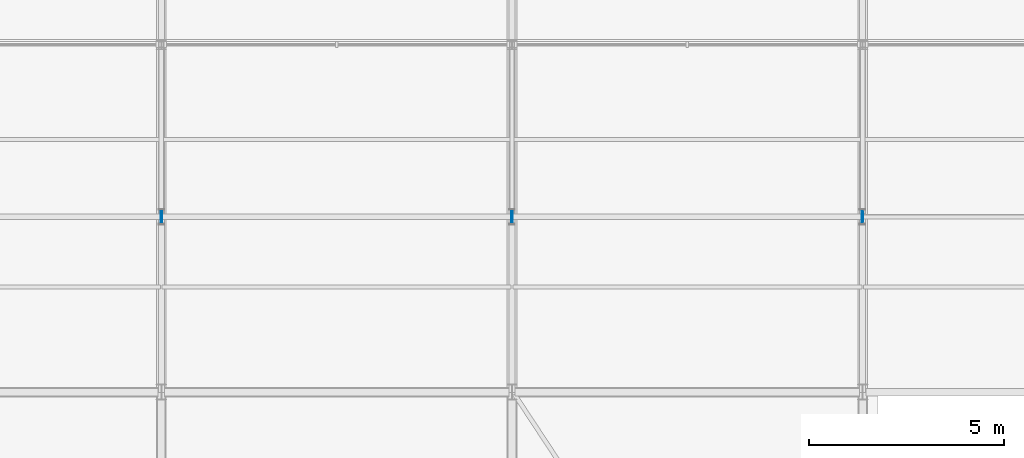
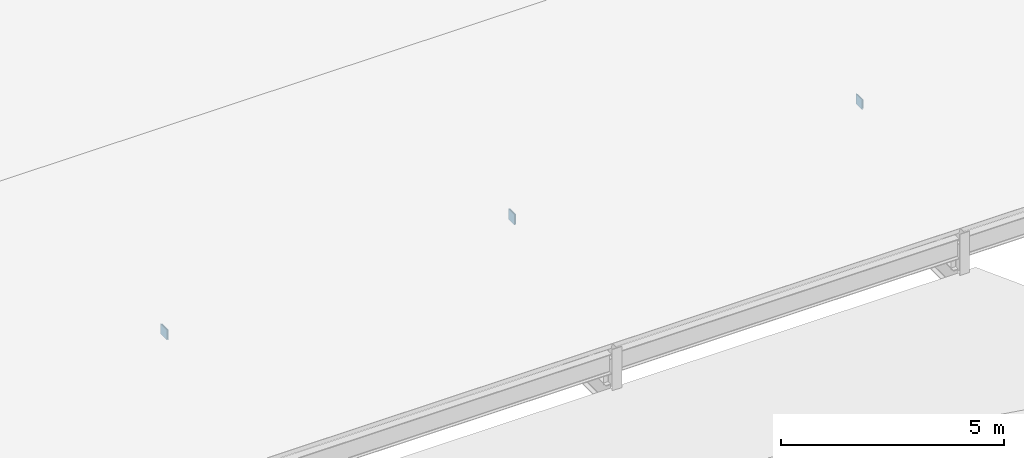
# One storey, part 133 of 163: 6 plates.
"""IFC4 building model written with IfcOpenShell, lengths in metres."""

from ifc_helpers import new_model, si_unit, direction, frame, origin, origin_2d, place, context, subcontext, project, spatial, rectangle, extrude, material, layer, layer_set, type_object, element, save


model = new_model("IFC4")

# Units and contexts
model_context = context("Model", 3, precision=1e-05, world=origin(), true_north=direction((0.0, 1.0)))
body_context = subcontext(model_context, "Body", "Model", "MODEL_VIEW")
ifc_project = project(units=[si_unit("LENGTHUNIT", "METRE"), si_unit("AREAUNIT", "SQUARE_METRE"), si_unit("VOLUMEUNIT", "CUBIC_METRE"), si_unit("PLANEANGLEUNIT", "RADIAN"), si_unit("MASSUNIT", "GRAM", prefix="KILO")], contexts=[model_context])

# Site, building, storey
site_placement = place(None, origin())
site = spatial("IfcSite", under=ifc_project, at=site_placement, CompositionType="ELEMENT")
building_placement = place(site_placement, origin())
building = spatial("IfcBuilding", under=site, at=building_placement, Name="Tharagai Park Tramway Depot", CompositionType="ELEMENT")
storey_placement = place(building_placement, frame((0.0, 0.0, 8.39990234375)))
storey = spatial("IfcBuildingStorey", under=building, at=storey_placement, Name="L02", CompositionType="ELEMENT", Elevation=8.39990234375)

# Plates
ifc_material = material(Name="Steel E350", Category="steel")
ifc_layer = layer(ifc_material, 0.011962890625)
ifc_layer_set = layer_set([ifc_layer], Name="Steel E350")
plate_type = type_object("IfcPlateType", Name="GP-04", PredefinedType="SHEET", material=ifc_layer_set)
for number, where, z_axis, x_axis, name in (
    (1, (71.986083984375, 94.5, 1.806640625), (0.0, 0.0, 1.0), (1.0, 0.0, 0.0), "Tube End Cap Plate GP-04"),
    (2, (72.013916015625, 94.5, 1.806640625), (0.0, 0.0, 1.0), (1.0, 0.0, 0.0), "Tube End Cap Plate GP-04"),
    (3, (80.986083984375, 94.5, 1.806640625), (0.0, 0.0, 1.0), (1.0, 0.0, 0.0), "Tube End Cap Plate GP-04"),
    (4, (81.013916015625, 94.5, 1.806640625), (0.0, 0.0, 1.0), (1.0, 0.0, 0.0), "Tube End Cap Plate GP-04"),
    (5, (89.986083984375, 94.5, 1.806640625), (0.0, 0.0, 1.0), (1.0, 0.0, 0.0), "Tube End Cap Plate GP-04"),
):
    element("IfcPlate", number, at=place(storey_placement, frame(where, z_axis=z_axis, x_axis=x_axis)), inside=storey, type_object=plate_type, Name=name, PredefinedType="SHEET", context=body_context, shape_type="SweptSolid", body=[
        extrude(rectangle(XDim=0.011962890625, YDim=0.280029296875, at=origin_2d()), origin(), (0.0, 0.0, 1.0), 0.280029296875),
    ])
plate_placement = place(storey_placement, frame((90.013916015625, 94.5, 1.821533203125), z_axis=(0.0, 0.0, 1.0), x_axis=(1.0, 0.0, 0.0)))
element("IfcPlate", 6, at=plate_placement, inside=storey, type_object=plate_type, Name="Tube End Cap Plate GP-04", PredefinedType="SHEET", context=body_context, shape_type="SweptSolid", body=[
    extrude(rectangle(XDim=0.011962890625, YDim=0.25, at=origin_2d()), origin(), (0.0, 0.0, 1.0), 0.25),
])

save(model, "model.ifc")
